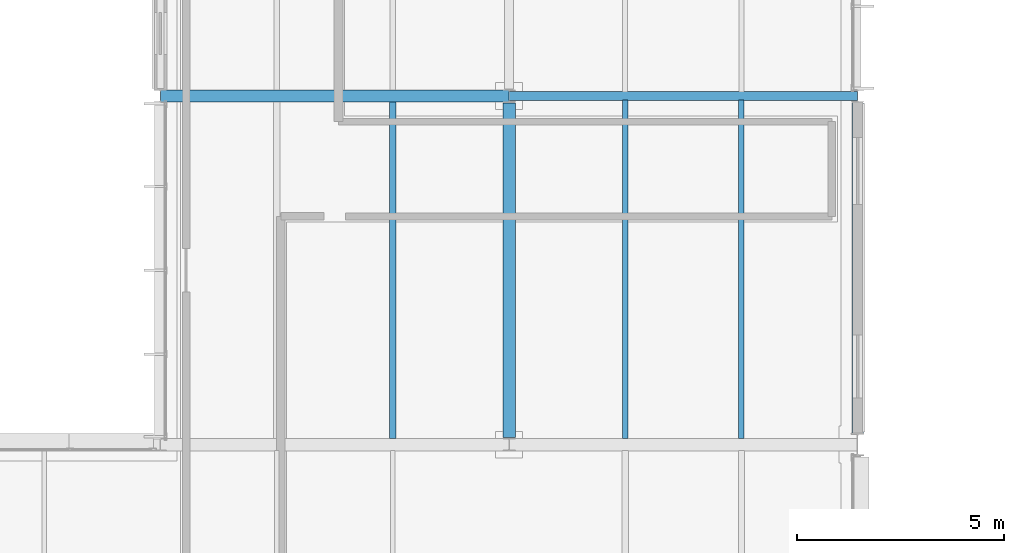
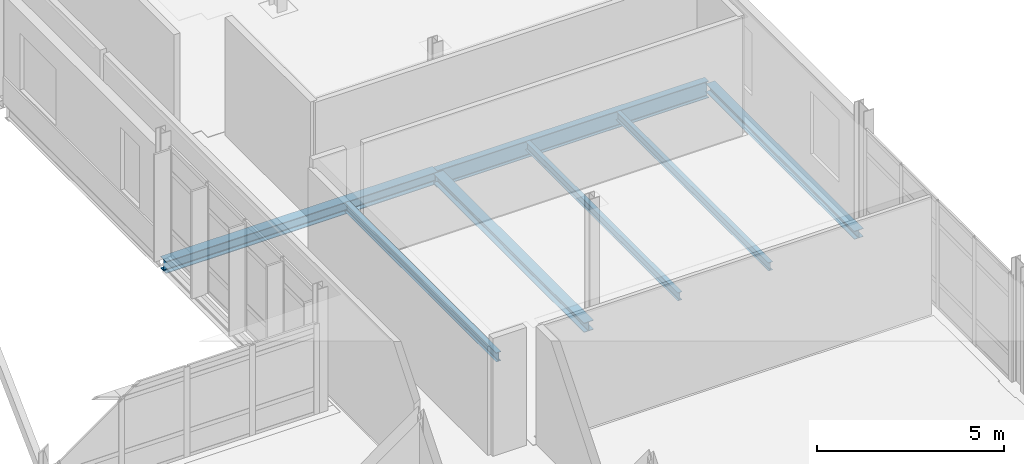
# One storey, part 48 of 103: 7 beams.
"""IFC4 building model written with IfcOpenShell, lengths in metres."""

from ifc_helpers import new_model, si_unit, direction, frame, origin, origin_2d, place, context, subcontext, project, spatial, i_section, extrude, material, material_profile, profile_set, type_object, element, save


model = new_model("IFC4")

# Units and contexts
model_context = context("Model", 3, precision=1e-05, world=origin(), true_north=direction((0.0, 1.0)))
body_context = subcontext(model_context, "Body", "Model", "MODEL_VIEW")
ifc_project = project(units=[si_unit("LENGTHUNIT", "METRE"), si_unit("AREAUNIT", "SQUARE_METRE"), si_unit("VOLUMEUNIT", "CUBIC_METRE"), si_unit("PLANEANGLEUNIT", "RADIAN"), si_unit("MASSUNIT", "GRAM", prefix="KILO")], contexts=[model_context])

# Site, building, storey
site_placement = place(None, origin())
site = spatial("IfcSite", under=ifc_project, at=site_placement, CompositionType="ELEMENT")
building_placement = place(site_placement, origin())
building = spatial("IfcBuilding", under=site, at=building_placement, Name="Mersafa Astral City Hall", CompositionType="ELEMENT")
storey_placement = place(building_placement, frame((0.0, 0.0, 18.0)))
storey = spatial("IfcBuildingStorey", under=building, at=storey_placement, Name="L04", CompositionType="ELEMENT", Elevation=18.0)

# Beams
ifc_material = material(Name="Steel S355", Category="steel")
ifc_material_profile_1 = material_profile(ifc_material, i_section(OverallWidth=0.300048828125, OverallDepth=0.31005859375, WebThickness=0.009033203125, FlangeThickness=0.015380859375, FilletRadius=0.027099609375, at=origin_2d()), Name="HEA 320")
ifc_profile_set_1 = profile_set([ifc_material_profile_1], Name="Steel S355")
beam_type_1 = type_object("IfcBeamType", Name="STR-BM-HEA320", PredefinedType="BEAM", material=ifc_profile_set_1)
beam_1_placement = place(storey_placement, frame((109.199951171875, 92.574951171875, -0.340087890625), z_axis=(0.0, 1.0, 0.0), x_axis=(-1.0, 0.0, 0.0)))
element("IfcBeam", 1, at=beam_1_placement, inside=storey, type_object=beam_type_1, Name="L04 Primary girder Y 13-11", PredefinedType="BEAM", context=body_context, shape_type="SweptSolid", body=[
    extrude(i_section(OverallWidth=0.300048828125, OverallDepth=0.31005859375, WebThickness=0.009033203125, FlangeThickness=0.015380859375, FilletRadius=0.027099609375, at=origin_2d()), origin(), (0.0, 0.0, 1.0), 8.06005859375),
])
ifc_material_profile_2 = material_profile(ifc_material, i_section(OverallWidth=0.300048828125, OverallDepth=0.389892578125, WebThickness=0.010986328125, FlangeThickness=0.01904296875, FilletRadius=0.027099609375, at=origin_2d()), Name="HEA 400")
ifc_profile_set_2 = profile_set([ifc_material_profile_2], Name="Steel S355")
beam_type_2 = type_object("IfcBeamType", Name="STR-BM-HEA400", PredefinedType="BEAM", material=ifc_profile_set_2)
beam_2_placement = place(storey_placement, frame((100.802978515625, 100.800048828125, -0.3798828125), z_axis=(1.0, 0.0, 0.0), x_axis=(0.0, 1.0, 0.0)))
element("IfcBeam", 2, at=beam_2_placement, inside=storey, type_object=beam_type_2, Name="L04 Primary girder X 12-12", PredefinedType="BEAM", context=body_context, shape_type="SweptSolid", body=[
    extrude(i_section(OverallWidth=0.300048828125, OverallDepth=0.389892578125, WebThickness=0.010986328125, FlangeThickness=0.01904296875, FilletRadius=0.027099609375, at=origin_2d()), origin(), (0.0, 0.0, 1.0), 8.39404296875),
])
ifc_material_profile_3 = material_profile(ifc_material, i_section(OverallWidth=0.2099609375, OverallDepth=0.550048828125, WebThickness=0.010986328125, FlangeThickness=0.01708984375, FilletRadius=0.02392578125, at=origin_2d()), Name="IPE 550")
ifc_profile_set_3 = profile_set([ifc_material_profile_3], Name="Steel S355")
beam_type_3 = type_object("IfcBeamType", Name="STR-BM-IPE550", PredefinedType="BEAM", material=ifc_profile_set_3)
beam_3_placement = place(storey_placement, frame((109.202880859375, 100.800048828125, -0.4599609375), z_axis=(1.0, 0.0, 0.0), x_axis=(0.0, 1.0, 0.0)))
element("IfcBeam", 3, at=beam_3_placement, inside=storey, type_object=beam_type_3, Name="L04 Primary girder X 13-12", PredefinedType="BEAM", context=body_context, shape_type="SweptSolid", body=[
    extrude(i_section(OverallWidth=0.2099609375, OverallDepth=0.550048828125, WebThickness=0.010986328125, FlangeThickness=0.01708984375, FilletRadius=0.02392578125, at=origin_2d()), origin(), (0.0, 0.0, 1.0), 8.39404296875),
])
ifc_material_profile_4 = material_profile(ifc_material, i_section(OverallWidth=0.135009765625, OverallDepth=0.27001953125, WebThickness=0.006591796875, FlangeThickness=0.01025390625, FilletRadius=0.014892578125, at=origin_2d()), Name="IPE 270")
ifc_profile_set_4 = profile_set([ifc_material_profile_4], Name="Steel S355")
beam_type_4 = type_object("IfcBeamType", Name="STR-BM-JOIST-IPE270", PredefinedType="JOIST", material=ifc_profile_set_4)
for number, where, z_axis, x_axis, name in (
    (4, (112.0, 92.544921875, -0.320068359375), (0.0, 1.0, 0.0), (-1.0, 0.0, 0.0), "L04 Composite secondary floor joist 738"),
    (5, (114.800048828125, 92.544921875, -0.320068359375), (0.0, 1.0, 0.0), (-1.0, 0.0, 0.0), "L04 Composite secondary floor joist 739"),
):
    element("IfcBeam", number, at=place(storey_placement, frame(where, z_axis=z_axis, x_axis=x_axis)), inside=storey, type_object=beam_type_4, Name=name, PredefinedType="JOIST", context=body_context, shape_type="SweptSolid", body=[
        extrude(i_section(OverallWidth=0.135009765625, OverallDepth=0.27001953125, WebThickness=0.006591796875, FlangeThickness=0.01025390625, FilletRadius=0.014892578125, at=origin_2d()), origin(), (0.0, 0.0, 1.0), 8.155029296875),
    ])
ifc_material_profile_5 = material_profile(ifc_material, i_section(OverallWidth=0.14990234375, OverallDepth=0.300048828125, WebThickness=0.007080078125, FlangeThickness=0.0107421875, FilletRadius=0.014892578125, at=origin_2d()), Name="IPE 300")
ifc_profile_set_5 = profile_set([ifc_material_profile_5], Name="Steel S355")
beam_type_5 = type_object("IfcBeamType", Name="STR-BM-JOIST-IPE300", PredefinedType="JOIST", material=ifc_profile_set_5)
beam_4_placement = place(storey_placement, frame((106.39990234375, 92.544921875, -0.3349609375), z_axis=(0.0, 1.0, 0.0), x_axis=(-1.0, 0.0, 0.0)))
element("IfcBeam", 6, at=beam_4_placement, inside=storey, type_object=beam_type_5, Name="L04 Composite secondary floor joist 725", PredefinedType="JOIST", context=body_context, shape_type="SweptSolid", body=[
    extrude(i_section(OverallWidth=0.14990234375, OverallDepth=0.300048828125, WebThickness=0.007080078125, FlangeThickness=0.0107421875, FilletRadius=0.014892578125, at=origin_2d()), origin(), (0.0, 0.0, 1.0), 8.110107421875),
])
ifc_material_profile_6 = material_profile(ifc_material, i_section(OverallWidth=0.280029296875, OverallDepth=0.27001953125, WebThickness=0.008056640625, FlangeThickness=0.012939453125, FilletRadius=0.02392578125, at=origin_2d()), Name="HEA 280")
ifc_profile_set_6 = profile_set([ifc_material_profile_6], Name="Steel S355")
beam_type_6 = type_object("IfcBeamType", Name="STR-BM-SPANDREL-HEA280", PredefinedType="SPANDREL", material=ifc_profile_set_6)
beam_5_placement = place(storey_placement, frame((117.60009765625, 92.669921875, -0.320068359375), z_axis=(0.0, 1.0, 0.0), x_axis=(-1.0, 0.0, 0.0)))
element("IfcBeam", 7, at=beam_5_placement, inside=storey, type_object=beam_type_6, Name="L04 Primary girder Y 14-11", PredefinedType="SPANDREL", context=body_context, shape_type="SweptSolid", body=[
    extrude(i_section(OverallWidth=0.280029296875, OverallDepth=0.27001953125, WebThickness=0.008056640625, FlangeThickness=0.012939453125, FilletRadius=0.02392578125, at=origin_2d()), origin(), (0.0, 0.0, 1.0), 7.955078125),
])

save(model, "model.ifc")
